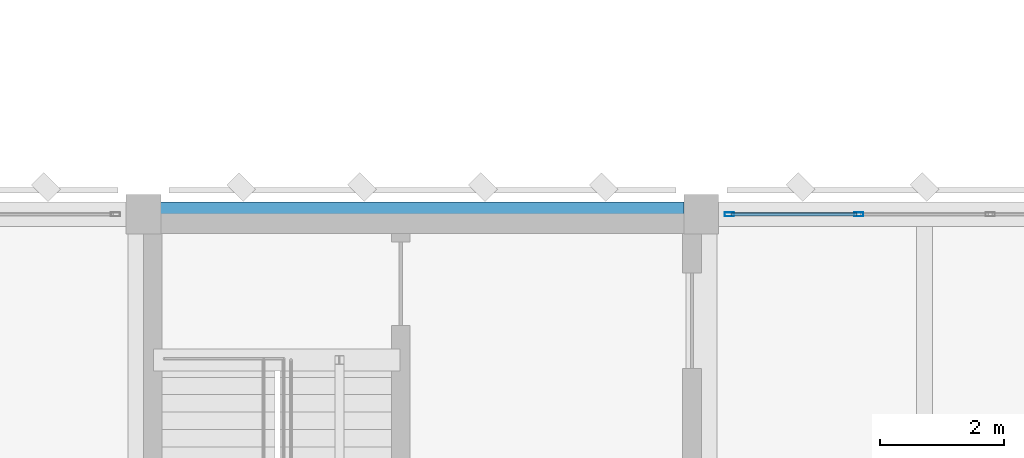
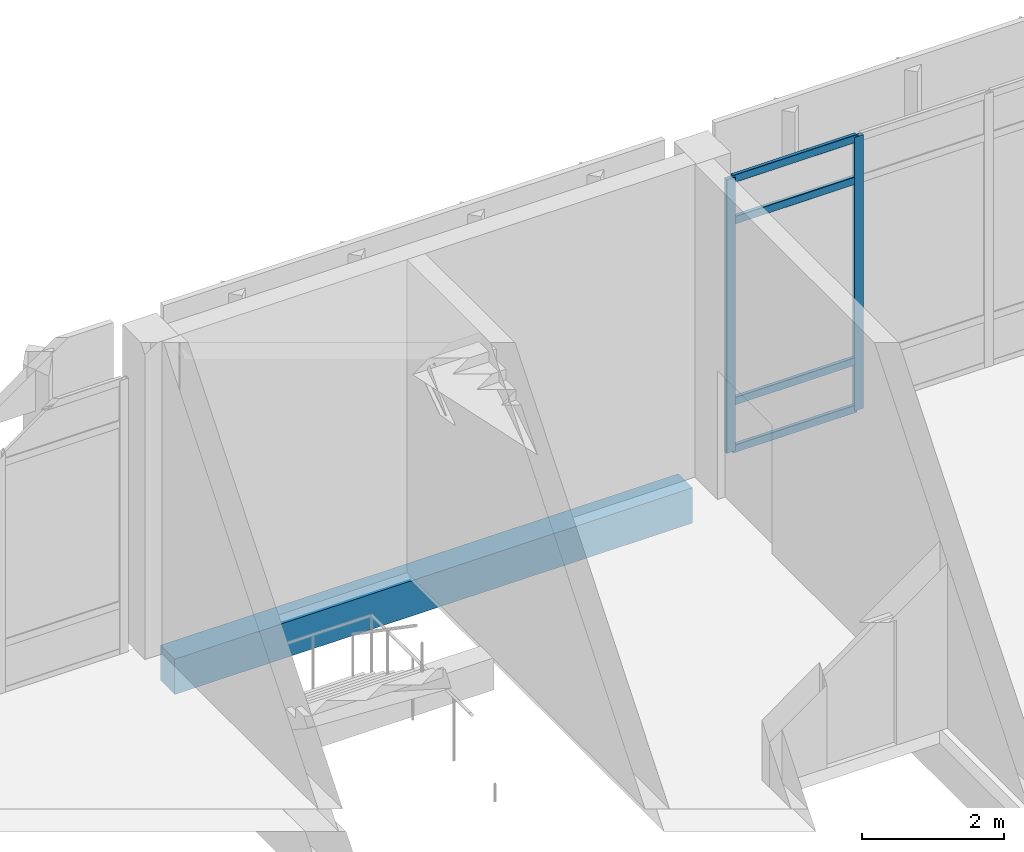
# One storey, part 94 of 180: 6 members, 1 beam, 1 element without a shape of its own.
"""IFC4 building model written with IfcOpenShell, lengths in metres."""

from ifc_helpers import new_model, si_unit, direction, frame, origin, origin_2d, place, context, subcontext, project, spatial, rectangle, hollow_rectangle, extrude, material, material_profile, profile_set, type_object, element, aggregate, save


model = new_model("IFC4")

# Units and contexts
model_context = context("Model", 3, precision=1e-05, world=origin(), true_north=direction((0.0, 1.0)))
body_context = subcontext(model_context, "Body", "Model", "MODEL_VIEW")
ifc_project = project(units=[si_unit("LENGTHUNIT", "METRE"), si_unit("AREAUNIT", "SQUARE_METRE"), si_unit("VOLUMEUNIT", "CUBIC_METRE"), si_unit("PLANEANGLEUNIT", "RADIAN"), si_unit("MASSUNIT", "GRAM", prefix="KILO")], contexts=[model_context])

# Site, building, storey
site_placement = place(None, origin())
site = spatial("IfcSite", under=ifc_project, at=site_placement, CompositionType="ELEMENT")
building_placement = place(site_placement, origin())
building = spatial("IfcBuilding", under=site, at=building_placement, Name="Lusvemor Sports Hall", CompositionType="ELEMENT")
storey_placement = place(building_placement, frame((0.0, 0.0, 5.39990234375)))
storey = spatial("IfcBuildingStorey", under=building, at=storey_placement, Name="L01", CompositionType="ELEMENT", Elevation=5.39990234375)

# Curtain wall, members
ifc_material_1 = material(Name="Thermally broken bronze-anodized aluminium", Category="aluminium")
curtain_wall_type = type_object("IfcCurtainWallType", Name="CW_WING_B", PredefinedType="NOTDEFINED", material=ifc_material_1)
curtain_wall_placement = place(storey_placement, origin())
curtain_wall = element("IfcCurtainWall", 1, at=curtain_wall_placement, inside=storey, type_object=curtain_wall_type, Name="Curtain Wall CW-L01-N-1-11", PredefinedType="NOTDEFINED")
ifc_material_2 = material(Name="Thermally broken bronze-anodized aluminium", Category="aluminium")
ifc_material_profile_1 = material_profile(ifc_material_2, hollow_rectangle(XDim=0.06494140625, YDim=0.14990234375, WallThickness=0.00390625, InnerFilletRadius=0.00390625, OuterFilletRadius=0.008056640625, at=origin_2d()), Name="CWMUL150x65x4")
ifc_profile_set_1 = profile_set([ifc_material_profile_1], Name="Thermally broken bronze-anodized aluminium")
member_type_1 = type_object("IfcMemberType", Name="CW_MUL_B", PredefinedType="MULLION", material=ifc_profile_set_1)
member_1_placement = place(storey_placement, frame((112.052490234375, 115.199951171875, 0.0), z_axis=(0.0, 0.0, 1.0), x_axis=(0.0, 1.0, 0.0)))
member_1 = element("IfcMember", 2, at=member_1_placement, type_object=member_type_1, Name="CW02 mullion 1", PredefinedType="MULLION", context=body_context, shape_type="SweptSolid", body=[
    extrude(hollow_rectangle(XDim=0.06494140625, YDim=0.14990234375, WallThickness=0.00390625, InnerFilletRadius=0.00390625, OuterFilletRadius=0.008056640625, at=origin_2d()), origin(), (0.0, 0.0, 1.0), 4.72021484375),
])
member_2_placement = place(storey_placement, frame((114.139892578125, 115.199951171875, 0.0), z_axis=(0.0, 0.0, 1.0), x_axis=(0.0, 1.0, 0.0)))
member_2 = element("IfcMember", 3, at=member_2_placement, type_object=member_type_1, Name="CW02 mullion 2", PredefinedType="MULLION", context=body_context, shape_type="SweptSolid", body=[
    extrude(hollow_rectangle(XDim=0.06494140625, YDim=0.14990234375, WallThickness=0.00390625, InnerFilletRadius=0.00390625, OuterFilletRadius=0.008056640625, at=origin_2d()), origin(), (0.0, 0.0, 1.0), 4.72021484375),
])
ifc_material_3 = material(Name="Thermally broken bronze-anodized aluminium", Category="aluminium")
ifc_material_profile_2 = material_profile(ifc_material_3, hollow_rectangle(XDim=0.06005859375, YDim=0.135009765625, WallThickness=0.00390625, InnerFilletRadius=0.00390625, OuterFilletRadius=0.008056640625, at=origin_2d()), Name="CWTRN135x60x4")
ifc_profile_set_2 = profile_set([ifc_material_profile_2], Name="Thermally broken bronze-anodized aluminium")
member_type_2 = type_object("IfcMemberType", Name="CW_TRN_B", PredefinedType="USERDEFINED", material=ifc_profile_set_2)
member_3_placement = place(storey_placement, frame((112.0849609375, 115.199951171875, 0.030029296875), z_axis=(1.0, 0.0, 0.0), x_axis=(0.0, 1.0, 0.0)))
member_3 = element("IfcMember", 4, at=member_3_placement, type_object=member_type_2, Name="CW02 transom 1.1", ObjectType="TRANSOM", PredefinedType="USERDEFINED", context=body_context, shape_type="SweptSolid", body=[
    extrude(hollow_rectangle(XDim=0.06005859375, YDim=0.135009765625, WallThickness=0.00390625, InnerFilletRadius=0.00390625, OuterFilletRadius=0.008056640625, at=origin_2d()), origin(), (0.0, 0.0, 1.0), 2.0224609375),
])
member_4_placement = place(storey_placement, frame((112.0849609375, 115.199951171875, 0.85009765625), z_axis=(1.0, 0.0, 0.0), x_axis=(0.0, 1.0, 0.0)))
member_4 = element("IfcMember", 5, at=member_4_placement, type_object=member_type_2, Name="CW02 transom 1.2", ObjectType="TRANSOM", PredefinedType="USERDEFINED", context=body_context, shape_type="SweptSolid", body=[
    extrude(hollow_rectangle(XDim=0.06005859375, YDim=0.135009765625, WallThickness=0.00390625, InnerFilletRadius=0.00390625, OuterFilletRadius=0.008056640625, at=origin_2d()), origin(), (0.0, 0.0, 1.0), 2.0224609375),
])
member_5_placement = place(storey_placement, frame((112.0849609375, 115.199951171875, 3.97021484375), z_axis=(1.0, 0.0, 0.0), x_axis=(0.0, 1.0, 0.0)))
member_5 = element("IfcMember", 6, at=member_5_placement, type_object=member_type_2, Name="CW02 transom 1.3", ObjectType="TRANSOM", PredefinedType="USERDEFINED", context=body_context, shape_type="SweptSolid", body=[
    extrude(hollow_rectangle(XDim=0.06005859375, YDim=0.135009765625, WallThickness=0.00390625, InnerFilletRadius=0.00390625, OuterFilletRadius=0.008056640625, at=origin_2d()), origin(), (0.0, 0.0, 1.0), 2.0224609375),
])
member_6_placement = place(storey_placement, frame((112.0849609375, 115.199951171875, 4.690185546875), z_axis=(1.0, 0.0, 0.0), x_axis=(0.0, 1.0, 0.0)))
member_6 = element("IfcMember", 7, at=member_6_placement, type_object=member_type_2, Name="CW02 transom 1.4", ObjectType="TRANSOM", PredefinedType="USERDEFINED", context=body_context, shape_type="SweptSolid", body=[
    extrude(hollow_rectangle(XDim=0.06005859375, YDim=0.135009765625, WallThickness=0.00390625, InnerFilletRadius=0.00390625, OuterFilletRadius=0.008056640625, at=origin_2d()), origin(), (0.0, 0.0, 1.0), 2.0224609375),
])
aggregate(curtain_wall, [member_1, member_2, member_3, member_4, member_5, member_6])

# Beam
ifc_material_4 = material(Name="Concrete C40/50", Category="concrete")
ifc_material_profile_3 = material_profile(ifc_material_4, rectangle(XDim=0.39990234375, YDim=0.610107421875, at=origin_2d()), Name="RC400x610")
ifc_profile_set_3 = profile_set([ifc_material_profile_3], Name="Concrete C40/50")
beam_type = type_object("IfcBeamType", Name="SPAND_EXT_650", PredefinedType="SPANDREL", material=ifc_profile_set_3)
beam_placement = place(storey_placement, frame((102.8759765625, 115.199951171875, -0.56494140625), z_axis=(1.0, 0.0, 0.0), x_axis=(0.0, 1.0, 0.0)))
element("IfcBeam", 8, at=beam_placement, inside=storey, type_object=beam_type, Name="Beam L01 Q:11-12", PredefinedType="SPANDREL", context=body_context, shape_type="SweptSolid", body=[
    extrude(rectangle(XDim=0.39990234375, YDim=0.610107421875, at=origin_2d()), origin(), (0.0, 0.0, 1.0), 8.447998046875),
])

save(model, "model.ifc")
